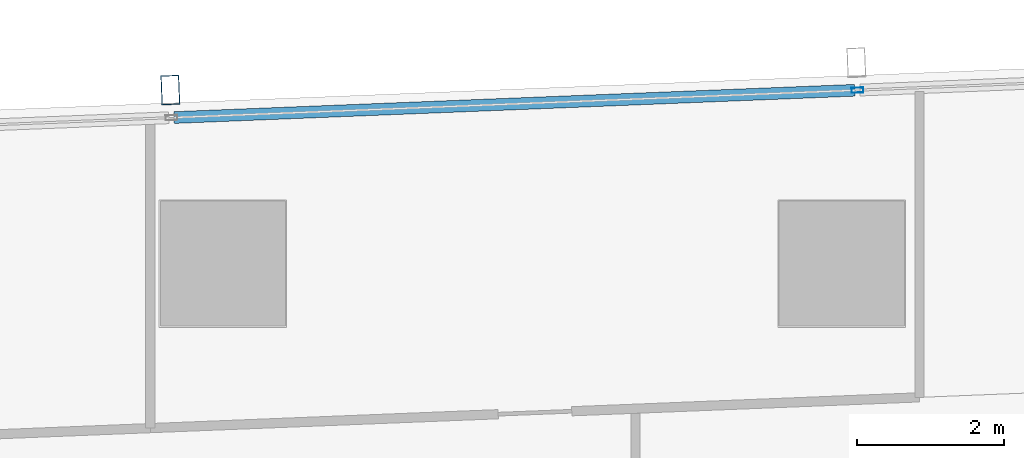
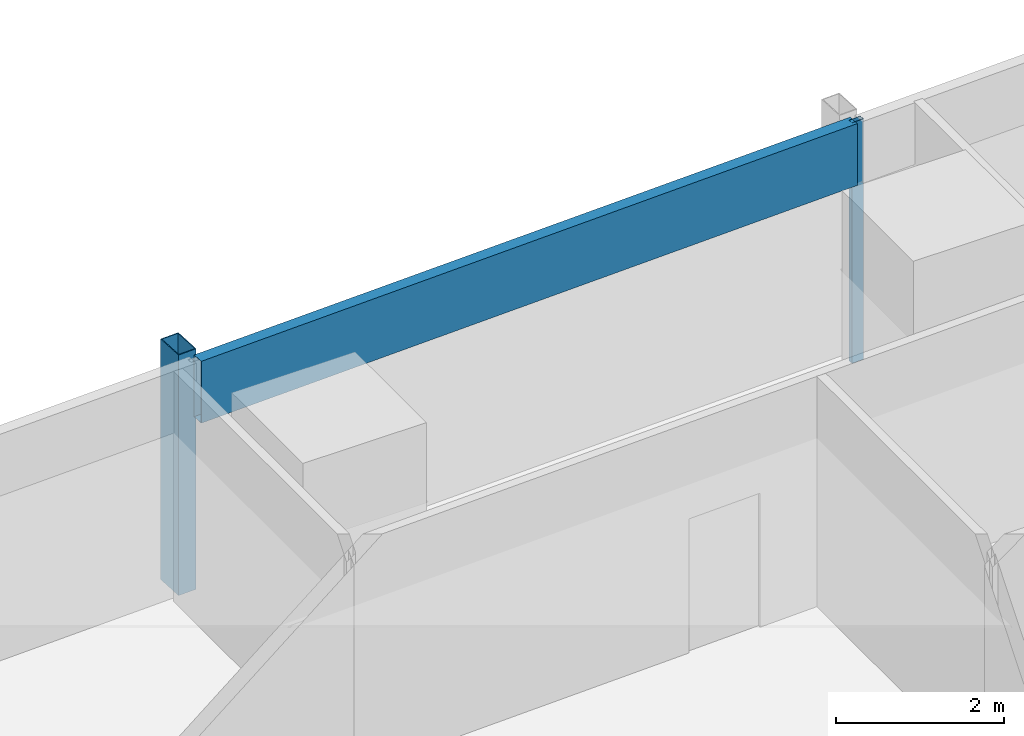
# One storey, part 16 of 40: 3 members, 1 element without a shape of its own.
"""IFC4 building model written with IfcOpenShell, lengths in metres."""

from ifc_helpers import new_model, si_unit, direction, frame, origin, origin_2d, place, context, subcontext, project, spatial, hollow_rectangle, extrude, material, material_profile, profile_set, type_object, element, aggregate, save


model = new_model("IFC4")

# Units and contexts
model_context = context("Model", 3, precision=1e-05, world=origin(), true_north=direction((0.0, 1.0)))
body_context = subcontext(model_context, "Body", "Model", "MODEL_VIEW")
ifc_project = project(units=[si_unit("LENGTHUNIT", "METRE"), si_unit("AREAUNIT", "SQUARE_METRE"), si_unit("VOLUMEUNIT", "CUBIC_METRE"), si_unit("PLANEANGLEUNIT", "RADIAN"), si_unit("MASSUNIT", "GRAM", prefix="KILO")], contexts=[model_context])

# Site, building, storey
site_placement = place(None, origin())
site = spatial("IfcSite", under=ifc_project, at=site_placement, CompositionType="ELEMENT")
building_placement = place(site_placement, origin())
building = spatial("IfcBuilding", under=site, at=building_placement, Name="Rekha Terrace Tower", CompositionType="ELEMENT")
storey_placement = place(building_placement, frame((0.0, 0.0, 121.550048828125)))
storey = spatial("IfcBuildingStorey", under=building, at=storey_placement, Name="L30", CompositionType="ELEMENT", Elevation=121.550048828125)

# Curtain wall, members
ifc_material_1 = material(Name="Aluminium framing", Category="aluminium")
curtain_wall_type = type_object("IfcCurtainWallType", Name="CW3 north unitised glazing", PredefinedType="USERDEFINED", material=ifc_material_1)
curtain_wall_placement = place(storey_placement, origin())
curtain_wall = element("IfcCurtainWall", 1, at=curtain_wall_placement, inside=storey, type_object=curtain_wall_type, Name="CW3 unitised curtain wall", ObjectType="UNITISED CURTAIN WALL", PredefinedType="USERDEFINED")
ifc_material_2 = material(Name="Steel S355 with fluorocarbon finish", Category="steel")
ifc_material_profile_1 = material_profile(ifc_material_2, hollow_rectangle(XDim=0.25, YDim=0.39990234375, WallThickness=0.012451171875, at=origin_2d()), Name="RHS400x250x12.5")
ifc_profile_set_1 = profile_set([ifc_material_profile_1], Name="Steel S355 with fluorocarbon finish")
member_type_1 = type_object("IfcMemberType", Name="BL1 facade blade RHS 400 x 250", PredefinedType="USERDEFINED", material=ifc_profile_set_1)
member_1_placement = place(storey_placement, frame((16.0869140625, 61.1552734375, 0.0), z_axis=(0.0, 0.0, 1.0), x_axis=(-0.999198382632, -0.040032388711, 0.0)))
member_1 = element("IfcMember", 2, at=member_1_placement, type_object=member_type_1, Name="Facade blade", ObjectType="FACADE BLADE", PredefinedType="USERDEFINED", context=body_context, shape_type="SweptSolid", body=[
    extrude(hollow_rectangle(XDim=0.25, YDim=0.39990234375, WallThickness=0.012451171875, at=origin_2d()), origin(), (0.0, 0.0, 1.0), 3.5),
])
ifc_material_3 = material(Name="Aluminium mullion section", Category="aluminium")
ifc_material_profile_2 = material_profile(ifc_material_3, hollow_rectangle(XDim=0.070068359375, YDim=0.159912109375, WallThickness=0.00390625, at=origin_2d()), Name="AL RHS 70x160")
ifc_profile_set_2 = profile_set([ifc_material_profile_2], Name="Aluminium mullion section")
member_type_2 = type_object("IfcMemberType", Name="CW3 mullion RHS 70 x 160", PredefinedType="MULLION", material=ifc_profile_set_2)
member_2_placement = place(storey_placement, frame((25.413818359375, 61.153564453125, 0.0), z_axis=(0.0, 0.0, 1.0), x_axis=(0.040031987119, -0.999198398721, 0.0)))
member_2 = element("IfcMember", 3, at=member_2_placement, type_object=member_type_2, Name="CW3 mullion 3", PredefinedType="MULLION", context=body_context, shape_type="SweptSolid", body=[
    extrude(hollow_rectangle(XDim=0.070068359375, YDim=0.159912109375, WallThickness=0.00390625, at=origin_2d()), origin(), (0.0, 0.0, 1.0), 3.5),
])
ifc_material_4 = material(Name="Insulated aluminium spandrel box", Category="aluminium")
ifc_material_profile_3 = material_profile(ifc_material_4, hollow_rectangle(XDim=0.159912109375, YDim=0.89990234375, WallThickness=0.0029296875, at=origin_2d()), Name="AL SPANDREL BOX 160x900")
ifc_profile_set_3 = profile_set([ifc_material_profile_3], Name="Insulated aluminium spandrel box")
member_type_3 = type_object("IfcMemberType", Name="CW3 spandrel transom 160 x 900", PredefinedType="USERDEFINED", material=ifc_profile_set_3)
member_3_placement = place(storey_placement, frame((25.37890625, 61.152099609375, 3.050048828125), z_axis=(-0.999199102424, -0.040014418831, 0.0), x_axis=(0.040014418831, -0.999199102424, 0.0)))
member_3 = element("IfcMember", 4, at=member_3_placement, type_object=member_type_3, Name="CW3 spandrel transom 3", ObjectType="TRANSOM", PredefinedType="USERDEFINED", context=body_context, shape_type="SweptSolid", body=[
    extrude(hollow_rectangle(XDim=0.159912109375, YDim=0.89990234375, WallThickness=0.0029296875, at=origin_2d()), origin(), (0.0, 0.0, 1.0), 9.24951171875),
])
aggregate(curtain_wall, [member_2, member_3, member_1])

save(model, "model.ifc")
